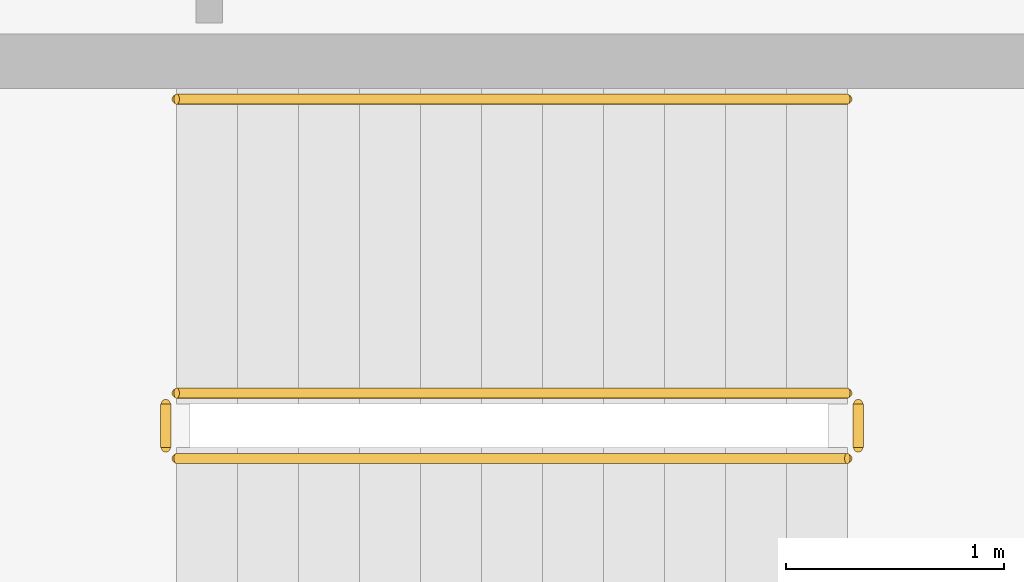
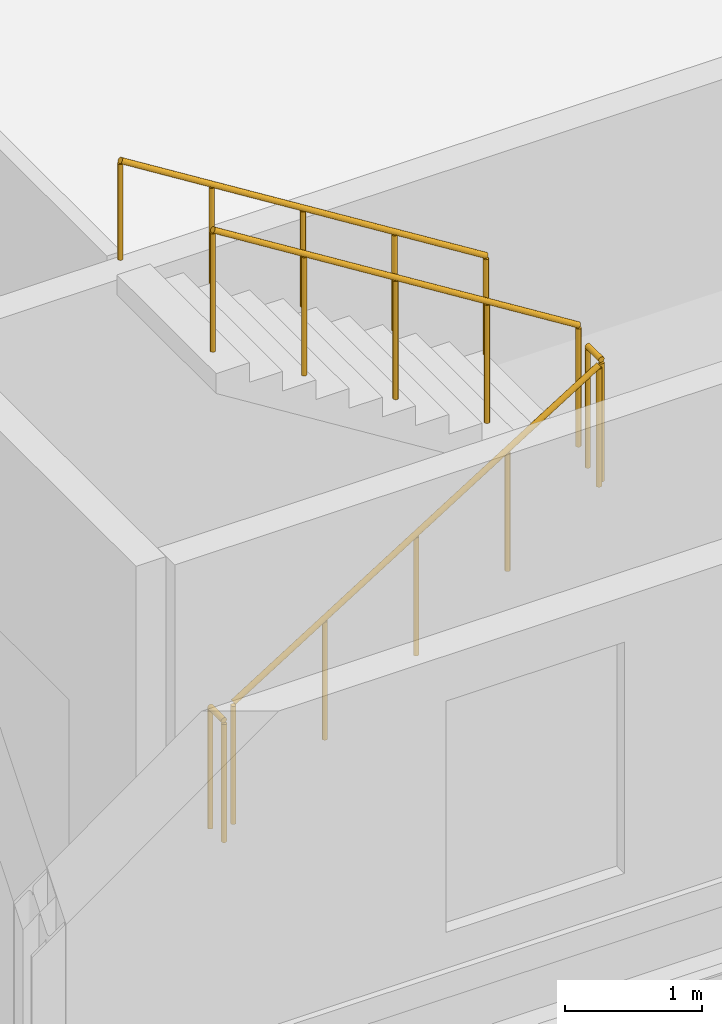
# One storey, part 91 of 93: 5 railings.
"""IFC4 building model written with IfcOpenShell, lengths in metres."""

import ifcopenshell
import ifcopenshell.guid

model = None  # the IFC model being written
_history = None  # IfcOwnerHistory: only IFC2X3 demands one
_inside = {}  # id of a spatial element -> (the spatial element, [elements in it])
_under = {}  # id of a project, library or spatial element -> (it, [spatial elements below it])
_declared = {}  # id of a project -> (the project, [libraries it declares])
_typed = {}  # id of a type object -> (the type object, [elements of that type])
_made_of = {}  # id of a material, layer set ... -> (it, [elements and type objects made of it])


def new_model(schema):
    """Start an empty IFC model of exactly this schema.

    Asked for "IFC4X3", IfcOpenShell would pick the latest addendum, in which some entities
    have other attributes; the version numbers below select the first issue.
    IFC2X3 requires an IfcOwnerHistory on every rooted entity: one is made here for all.
    """
    global model, _history
    if schema == "IFC4X3":
        model = ifcopenshell.file(schema_version=(4, 3, 0, 0))
    else:
        model = ifcopenshell.file(schema=schema)
    _inside.clear()
    _under.clear()
    _declared.clear()
    _typed.clear()
    _made_of.clear()
    _history = None
    if model.schema == "IFC2X3":
        org = make("IfcOrganization", Name="unknown")
        user = make(
            "IfcPersonAndOrganization",
            ThePerson=make("IfcPerson", FamilyName="unknown"),
            TheOrganization=org,
        )
        app = make(
            "IfcApplication",
            ApplicationDeveloper=org,
            Version="unknown",
            ApplicationFullName="unknown",
            ApplicationIdentifier="unknown",
        )
        _history = make(
            "IfcOwnerHistory",
            OwningUser=user,
            OwningApplication=app,
            ChangeAction="ADDED",
            CreationDate=0,
        )
    return model


def make(cls, **values):
    """One entity of the class cls with the attributes given. An attribute that is None is left unset."""
    return model.create_entity(
        cls, **{name: value for name, value in values.items() if value is not None}
    )


def rooted(cls, **values):
    """An entity with a GlobalId (a new one), such as an element, a storey or a relation."""
    return make(cls, GlobalId=ifcopenshell.guid.new(), OwnerHistory=_history, **values)


def si_unit(unit_type, name, prefix=None):
    """IfcSIUnit, for example si_unit("LENGTHUNIT", "METRE", prefix="MILLI")."""
    return make("IfcSIUnit", UnitType=unit_type, Prefix=prefix, Name=name)


def assignment(units):
    """IfcUnitAssignment: the units of a project."""
    return None if units is None else make("IfcUnitAssignment", Units=units)


def point(xyz):
    """IfcCartesianPoint."""
    return None if xyz is None else make("IfcCartesianPoint", Coordinates=xyz)


def direction(xyz):
    """IfcDirection."""
    return None if xyz is None else make("IfcDirection", DirectionRatios=xyz)


def frame(location, z_axis=None, x_axis=None):
    """IfcAxis2Placement3D, a coordinate frame: its origin and axes. An axis left out is left unset."""
    return make(
        "IfcAxis2Placement3D",
        Location=point(location),
        Axis=direction(z_axis),
        RefDirection=direction(x_axis),
    )


def frame_2d(location, x_axis=None):
    """IfcAxis2Placement2D, a coordinate frame in the plane: its origin and x axis."""
    return make(
        "IfcAxis2Placement2D", Location=point(location), RefDirection=direction(x_axis)
    )


def origin():
    """The frame at (0, 0, 0) with its axes left unset."""
    return frame((0.0, 0.0, 0.0))


def origin_2d():
    """The frame at (0, 0) in the plane with its x axis left unset."""
    return frame_2d((0.0, 0.0))


def place(relative_to, where):
    """IfcLocalPlacement: puts the frame where relative to a parent placement (None: the world)."""
    return make(
        "IfcLocalPlacement", PlacementRelTo=relative_to, RelativePlacement=where
    )


def context(
    kind, dimensions, precision=None, world=None, true_north=None, identifier=None
):
    """IfcGeometricRepresentationContext, for example the 3D "Model" context."""
    return make(
        "IfcGeometricRepresentationContext",
        ContextIdentifier=identifier,
        ContextType=kind,
        CoordinateSpaceDimension=dimensions,
        Precision=precision,
        WorldCoordinateSystem=world,
        TrueNorth=true_north,
    )


def subcontext(parent, identifier, kind, view, scale=None):
    """IfcGeometricRepresentationSubContext, for example "Body" below "Model"."""
    return make(
        "IfcGeometricRepresentationSubContext",
        ContextIdentifier=identifier,
        ContextType=kind,
        ParentContext=parent,
        TargetScale=scale,
        TargetView=view,
    )


def project(units=None, contexts=None):
    """IfcProject with its units and contexts."""
    return rooted(
        "IfcProject",
        Name="project",
        RepresentationContexts=contexts,
        UnitsInContext=assignment(units),
    )


def spatial(cls, under=None, at=None, **own):
    """A site, building, storey or space (cls), placed at a placement, below another one or the project."""
    s = rooted(cls, ObjectPlacement=at, **own)
    if under is not None:
        _under.setdefault(under.id(), (under, []))[1].append(s)
    return s


def profile(cls, at=None, kind="AREA", **sizes):
    """A parametric profile (cls). Its sizes go by their IFC names, for example OverallWidth=200.0."""
    return make(cls, ProfileType=kind, Position=at, **sizes)


def circle(**sizes):
    """IfcCircleProfileDef."""
    return profile("IfcCircleProfileDef", **sizes)


def extrude(swept, where, along, depth):
    """IfcExtrudedAreaSolid: the profile swept, set in the frame where, extruded along a direction by depth."""
    return make(
        "IfcExtrudedAreaSolid",
        SweptArea=swept,
        Position=where,
        ExtrudedDirection=direction(along),
        Depth=depth,
    )


def shape(context_of_items, identifier, shape_type, items):
    """IfcShapeRepresentation: the items that make up one representation, for example the "Body"."""
    return make(
        "IfcShapeRepresentation",
        ContextOfItems=context_of_items,
        RepresentationIdentifier=identifier,
        RepresentationType=shape_type,
        Items=items,
    )


def material(Name=None, Category=None):
    """IfcMaterial."""
    return make("IfcMaterial", Name=Name, Category=Category)


def made_of(thing, what):
    """Note that an element or type object is made of a material, layer set ...; save() writes the relation."""
    if what is not None:
        _made_of.setdefault(what.id(), (what, []))[1].append(thing)
    return thing


def type_object(cls, material=None, **own):
    """A type object (cls), such as IfcWallType, which elements share."""
    return made_of(rooted(cls, **own), material)


def element(
    cls,
    number,
    at=None,
    inside=None,
    cuts=None,
    type_object=None,
    material=None,
    context=None,
    identifier="Body",
    shape_type=None,
    held_by="IfcProductDefinitionShape",
    body=None,
    shapes=None,
    **own,
):
    """One element of the class cls, such as IfcWall. Its Tag is "e" and its number.

    at: its placement. inside: the storey or other place that contains it. cuts: it is an
    opening in that element (IfcRelVoidsElement). A single representation is given by context,
    identifier, shape_type and body (its items); several are given by shapes. held_by: the class
    of the entity that holds the representations. save() writes the other relations.
    """
    e = rooted(cls, Tag="e%d" % number, ObjectPlacement=at, **own)
    if body is not None:
        shapes = [shape(context, identifier, shape_type, body)]
    if shapes is not None:
        e.Representation = make(held_by, Representations=shapes)
    if inside is not None:
        _inside.setdefault(inside.id(), (inside, []))[1].append(e)
    if cuts is not None:
        rooted(
            "IfcRelVoidsElement", RelatingBuildingElement=cuts, RelatedOpeningElement=e
        )
    if type_object is not None:
        _typed.setdefault(type_object.id(), (type_object, []))[1].append(e)
    return made_of(e, material)


def aggregate(whole, parts):
    """IfcRelAggregates: a whole, such as a stair, and the parts it consists of."""
    return rooted("IfcRelAggregates", RelatingObject=whole, RelatedObjects=parts)


def save(model, path):
    """Write the relations noted so far, then the file.

    IfcRelAggregates (storeys below a building ...), IfcRelContainedInSpatialStructure (elements
    in a storey), IfcRelDefinesByType, IfcRelAssociatesMaterial and IfcRelDeclares: one each for
    every whole, place, type object, material and project.
    """
    for whole, parts in _under.values():
        aggregate(whole, parts)
    for where, things in _inside.values():
        rooted(
            "IfcRelContainedInSpatialStructure",
            RelatedElements=things,
            RelatingStructure=where,
        )
    for kind, things in _typed.values():
        rooted("IfcRelDefinesByType", RelatedObjects=things, RelatingType=kind)
    for what, things in _made_of.values():
        rooted("IfcRelAssociatesMaterial", RelatedObjects=things, RelatingMaterial=what)
    for by, libraries in _declared.values():
        rooted("IfcRelDeclares", RelatingContext=by, RelatedDefinitions=libraries)
    model.write(path)


model = new_model("IFC4")

# Units and contexts
model_context = context("Model", 3, precision=1e-05, world=origin(), true_north=direction((0.0, 1.0)))
body_context = subcontext(model_context, "Body", "Model", "MODEL_VIEW")
ifc_project = project(units=[si_unit("LENGTHUNIT", "METRE"), si_unit("AREAUNIT", "SQUARE_METRE"), si_unit("VOLUMEUNIT", "CUBIC_METRE"), si_unit("PLANEANGLEUNIT", "RADIAN"), si_unit("MASSUNIT", "GRAM", prefix="KILO")], contexts=[model_context])

# Site, building, storey
site_placement = place(None, origin())
site = spatial("IfcSite", under=ifc_project, at=site_placement, CompositionType="ELEMENT")
building_placement = place(site_placement, origin())
building = spatial("IfcBuilding", under=site, at=building_placement, Name="Vekula Escarpment Museum", CompositionType="ELEMENT")
storey_placement = place(building_placement, frame((0.0, 0.0, 22.199951171875)))
storey = spatial("IfcBuildingStorey", under=building, at=storey_placement, Name="L05", CompositionType="ELEMENT", Elevation=22.199951171875)

# Railings
ifc_material_1 = material(Name="Painted Steel S355 stair guard", Category="steel")
railing_type_1 = type_object("IfcRailingType", Name="RL-STAIR-GUARD", PredefinedType="GUARDRAIL", material=ifc_material_1)
railing_1_placement = place(storey_placement, frame((170.25, 55.39990234375, 0.175048828125)))
element("IfcRailing", 1, at=railing_1_placement, inside=storey, type_object=railing_type_1, Name="L05 ST-02 stair guard 1", PredefinedType="GUARDRAIL", context=body_context, shape_type="SweptSolid", body=[
    extrude(circle(Radius=0.02392578125, at=origin_2d()), frame((0.0, 0.0, 1.076171875), z_axis=(0.847998304005, 0.0, 0.529998940003), x_axis=(0.0, 1.0, 0.0)), (0.0, 0.0, 1.0), 3.632080078125),
    extrude(circle(Radius=0.02099609375, at=origin_2d()), origin(), (0.0, 0.0, 1.0), 1.052001953125),
    extrude(circle(Radius=0.02099609375, at=origin_2d()), frame((0.77001953125, 0.0, 0.481201171875)), (0.0, 0.0, 1.0), 1.052001953125),
    extrude(circle(Radius=0.02099609375, at=origin_2d()), frame((1.5400390625, 0.0, 0.96240234375)), (0.0, 0.0, 1.0), 1.052001953125),
    extrude(circle(Radius=0.02099609375, at=origin_2d()), frame((2.31005859375, 0.0, 1.44384765625)), (0.0, 0.0, 1.0), 1.052001953125),
    extrude(circle(Radius=0.02099609375, at=origin_2d()), frame((3.080078125, 0.0, 1.925048828125)), (0.0, 0.0, 1.0), 1.052001953125),
])
railing_2_placement = place(storey_placement, frame((173.3798828125, 55.449951171875, 2.10009765625)))
element("IfcRailing", 2, at=railing_2_placement, inside=storey, type_object=railing_type_1, Name="L05 ST-02 stair guard 2", PredefinedType="GUARDRAIL", context=body_context, shape_type="SweptSolid", body=[
    extrude(circle(Radius=0.02392578125, at=origin_2d()), frame((0.0, 0.0, 1.076171875), z_axis=(0.0, 1.0, 0.0), x_axis=(-1.0, 0.0, 0.0)), (0.0, 0.0, 1.0), 0.199951171875),
    extrude(circle(Radius=0.02099609375, at=origin_2d()), origin(), (0.0, 0.0, 1.0), 1.052001953125),
    extrude(circle(Radius=0.02099609375, at=origin_2d()), frame((0.0, 0.199951171875, 0.0)), (0.0, 0.0, 1.0), 1.052001953125),
])
railing_3_placement = place(storey_placement, frame((173.330078125, 55.699951171875, 2.275146484375)))
element("IfcRailing", 3, at=railing_3_placement, inside=storey, type_object=railing_type_1, Name="L05 ST-02 stair guard 3", PredefinedType="GUARDRAIL", context=body_context, shape_type="SweptSolid", body=[
    extrude(circle(Radius=0.02392578125, at=origin_2d()), frame((0.0, 0.0, 1.076171875), z_axis=(-0.848028513186, 0.0, 0.529950602248), x_axis=(0.0, -1.0, 0.0)), (0.0, 0.0, 1.0), 3.632080078125),
    extrude(circle(Radius=0.02099609375, at=origin_2d()), origin(), (0.0, 0.0, 1.0), 1.052001953125),
    extrude(circle(Radius=0.02099609375, at=origin_2d()), frame((-0.77001953125, 0.0, 0.481201171875)), (0.0, 0.0, 1.0), 1.052001953125),
    extrude(circle(Radius=0.02099609375, at=origin_2d()), frame((-1.5400390625, 0.0, 0.96240234375)), (0.0, 0.0, 1.0), 1.052001953125),
    extrude(circle(Radius=0.02099609375, at=origin_2d()), frame((-2.31005859375, 0.0, 1.443603515625)), (0.0, 0.0, 1.0), 1.052001953125),
    extrude(circle(Radius=0.02099609375, at=origin_2d()), frame((-3.080078125, 0.0, 1.9248046875)), (0.0, 0.0, 1.0), 1.052001953125),
])
railing_4_placement = place(storey_placement, frame((170.199951171875, 55.449951171875, 0.0)))
element("IfcRailing", 4, at=railing_4_placement, inside=storey, type_object=railing_type_1, Name="L05 ST-02 stair guard 4", PredefinedType="GUARDRAIL", context=body_context, shape_type="SweptSolid", body=[
    extrude(circle(Radius=0.02392578125, at=origin_2d()), frame((0.0, 0.0, 1.076171875), z_axis=(0.0, 1.0, 0.0), x_axis=(-1.0, 0.0, 0.0)), (0.0, 0.0, 1.0), 0.199951171875),
    extrude(circle(Radius=0.02099609375, at=origin_2d()), origin(), (0.0, 0.0, 1.0), 1.052001953125),
    extrude(circle(Radius=0.02099609375, at=origin_2d()), frame((0.0, 0.199951171875, 0.0)), (0.0, 0.0, 1.0), 1.052001953125),
])
ifc_material_2 = material(Name="Brushed stainless steel handrail", Category="steel")
railing_type_2 = type_object("IfcRailingType", Name="RL-STAIR-HAND", PredefinedType="HANDRAIL", material=ifc_material_2)
railing_5_placement = place(storey_placement, frame((173.330078125, 57.050048828125, 2.275146484375)))
element("IfcRailing", 5, at=railing_5_placement, inside=storey, type_object=railing_type_2, Name="L05 ST-02 stair handrail 2", PredefinedType="HANDRAIL", context=body_context, shape_type="SweptSolid", body=[
    extrude(circle(Radius=0.02392578125, at=origin_2d()), frame((0.0, 0.0, 0.8759765625), z_axis=(-0.848028513186, 0.0, 0.529950602248), x_axis=(0.0, -1.0, 0.0)), (0.0, 0.0, 1.0), 3.632080078125),
    extrude(circle(Radius=0.02099609375, at=origin_2d()), origin(), (0.0, 0.0, 1.0), 0.851806640625),
    extrude(circle(Radius=0.02099609375, at=origin_2d()), frame((-0.77001953125, 0.0, 0.481201171875)), (0.0, 0.0, 1.0), 0.851806640625),
    extrude(circle(Radius=0.02099609375, at=origin_2d()), frame((-1.5400390625, 0.0, 0.96240234375)), (0.0, 0.0, 1.0), 0.851806640625),
    extrude(circle(Radius=0.02099609375, at=origin_2d()), frame((-2.31005859375, 0.0, 1.443603515625)), (0.0, 0.0, 1.0), 0.851806640625),
    extrude(circle(Radius=0.02099609375, at=origin_2d()), frame((-3.080078125, 0.0, 1.9248046875)), (0.0, 0.0, 1.0), 0.851806640625),
])

save(model, "model.ifc")
